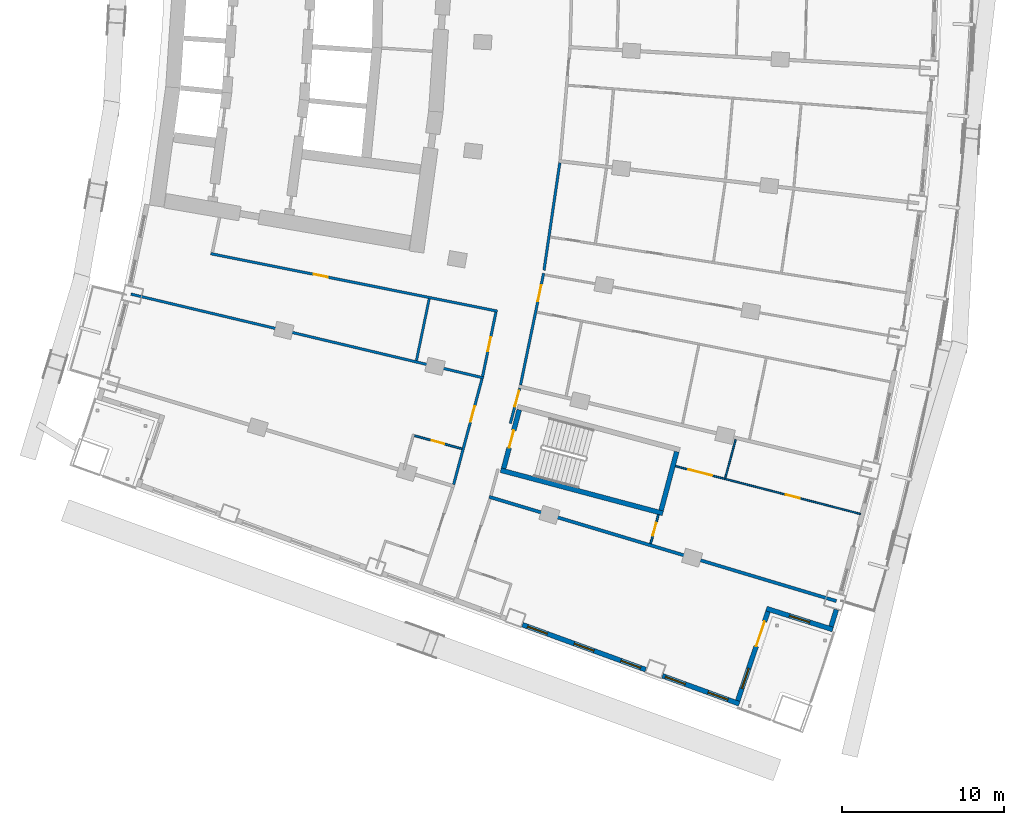
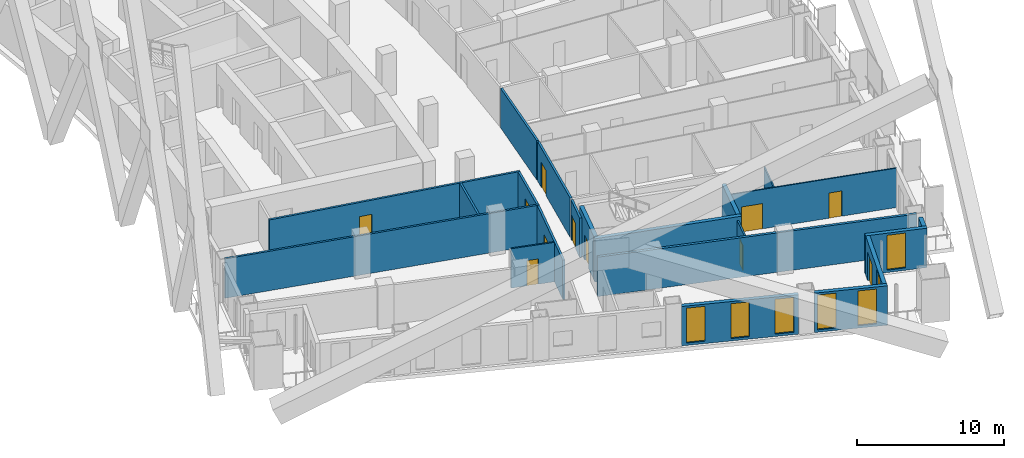
# One storey, part 14 of 25: 21 walls, 11 doors, 7 windows, 18 openings.
"""IFC4 building model written with IfcOpenShell, lengths in metres."""

from ifc_helpers import new_model, si_unit, direction, frame, frame_2d, origin, place, context, subcontext, project, spatial, rectangle, extrude, material, layer, layer_set, type_object, element, fill, save


model = new_model("IFC4")

# Units and contexts
model_context = context("Model", 3, precision=1e-05, world=origin(), true_north=direction((0.0, 1.0)))
body_context = subcontext(model_context, "Body", "Model", "MODEL_VIEW")
ifc_project = project(units=[si_unit("LENGTHUNIT", "METRE"), si_unit("AREAUNIT", "SQUARE_METRE"), si_unit("VOLUMEUNIT", "CUBIC_METRE"), si_unit("PLANEANGLEUNIT", "RADIAN"), si_unit("MASSUNIT", "GRAM", prefix="KILO")], contexts=[model_context])

# Site, building, storey
site_placement = place(None, origin())
site = spatial("IfcSite", under=ifc_project, at=site_placement, CompositionType="ELEMENT")
building_placement = place(site_placement, origin())
building = spatial("IfcBuilding", under=site, at=building_placement, Name="Alderwake Tower", CompositionType="ELEMENT")
storey_placement = place(building_placement, frame((0.0, 0.0, 32.0)))
storey = spatial("IfcBuildingStorey", under=building, at=storey_placement, Name="L06", CompositionType="ELEMENT", Elevation=32.0)

# Wall
ifc_material_1 = material(Name="Concrete C70/85", Category="concrete")
ifc_layer_1 = layer(ifc_material_1, 0.300048828125)
ifc_layer_set_1 = layer_set([ifc_layer_1], Name="Core wall stair enclosure 300 C70-85")
wall_type_1 = type_object("IfcWallType", Name="Core wall stair enclosure 300 C70-85", PredefinedType="SHEAR", material=ifc_layer_set_1)
wall_1_placement = place(storey_placement, frame((36.71142578125, 27.817626953125, 0.0), z_axis=(0.0, 0.0, 1.0), x_axis=(0.966309214305, -0.257383958996, 0.0)))
element("IfcWall", 1, at=wall_1_placement, inside=storey, type_object=wall_type_1, Name="Core wall CW.088", PredefinedType="SHEAR", context=body_context, shape_type="SweptSolid", body=[
    extrude(rectangle(XDim=10.360107421875, YDim=0.300048828125, at=frame_2d((5.18017578125, 0.0))), origin(), (0.0, 0.0, 1.0), 3.60009765625),
])

# Wall, opening, door
wall_2_placement = place(storey_placement, frame((36.89501953125, 27.923828125, 0.0), z_axis=(0.0, 0.0, 1.0), x_axis=(0.257350630826, 0.966318090907, 0.0)))
wall_2 = element("IfcWall", 2, at=wall_2_placement, inside=storey, type_object=wall_type_1, Name="Core wall CW.087", PredefinedType="SHEAR", context=body_context, shape_type="SweptSolid", body=[
    extrude(rectangle(XDim=3.75, YDim=0.300048828125, at=frame_2d((1.875, 0.0))), origin(), (0.0, 0.0, 1.0), 3.60009765625),
])
opening_1_placement = place(wall_2_placement, frame((1.324951171875, 0.0, 0.0)))
opening_1 = element("IfcOpeningElement", 3, at=opening_1_placement, cuts=wall_2, Name="Opening C065", PredefinedType="OPENING", context=body_context, shape_type="SweptSolid", body=[
    extrude(rectangle(XDim=1.10009765625, YDim=2.10009765625, at=frame_2d((0.550048828125, 1.050048828125))), frame((0.0, 0.159912109375, 0.0), z_axis=(0.0, -1.0, 0.0), x_axis=(1.0, 0.0, 0.0)), (0.0, 0.0, 1.0), 0.320068359375),
])
ifc_material_2 = material(Name="Steel-framed fire door leaf", Category="steel")
door_type_1 = type_object("IfcDoorType", Name="Core stair door 1100 fire-rated", OperationType="SINGLE_SWING_LEFT", PredefinedType="DOOR", material=ifc_material_2)
door_1_placement = place(opening_1_placement, origin())
door_1 = element("IfcDoor", 4, at=door_1_placement, inside=storey, type_object=door_type_1, Name="Stair door", OperationType="SINGLE_SWING_LEFT", OverallHeight=2.10009765625, OverallWidth=1.10009765625, PredefinedType="DOOR", context=body_context, shape_type="SweptSolid", body=[
    extrude(rectangle(XDim=1.10009765625, YDim=2.10009765625, at=frame_2d((0.550048828125, 1.050048828125))), frame((0.0, 0.02490234375, 0.0), z_axis=(0.0, -1.0, 0.0), x_axis=(1.0, 0.0, 0.0)), (0.0, 0.0, 1.0), 0.050048828125),
])
fill(opening_1, door_1)

# Walls
wall_3_placement = place(storey_placement, frame((46.6162109375, 25.334716796875, 0.0), z_axis=(0.0, 0.0, 1.0), x_axis=(0.257366821694, 0.966313778796, 0.0)))
element("IfcWall", 5, at=wall_3_placement, inside=storey, type_object=wall_type_1, Name="Core wall CW.085", PredefinedType="SHEAR", context=body_context, shape_type="SweptSolid", body=[
    extrude(rectangle(XDim=3.749755859375, YDim=0.300048828125, at=frame_2d((1.875, 0.0))), origin(), (0.0, 0.0, 1.0), 3.60009765625),
])
ifc_material_3 = material(Name="Gypsum board on metal studs, rated")
ifc_layer_2 = layer(ifc_material_3, 0.159912109375)
ifc_layer_set_2 = layer_set([ifc_layer_2], Name="Corridor wall 160")
wall_type_2 = type_object("IfcWallType", Name="Corridor wall 160", PredefinedType="PARTITIONING", material=ifc_layer_set_2)
wall_4_placement = place(storey_placement, frame((13.884033203125, 38.68798828125, 0.0), z_axis=(0.0, 0.0, 1.0), x_axis=(0.972893462073, -0.231253781493, 0.0)))
element("IfcWall", 6, at=wall_4_placement, inside=storey, type_object=wall_type_2, Name="WL/L06/W16", PredefinedType="PARTITIONING", context=body_context, shape_type="SweptSolid", body=[
    extrude(rectangle(XDim=22.38037109375, YDim=0.159912109375, at=frame_2d((11.190185546875, 0.0))), origin(), (0.0, 0.0, 1.0), 3.280029296875),
])

# Wall, opening, door
wall_5_placement = place(storey_placement, frame((36.513427734375, 37.63427734375, 0.0), z_axis=(0.0, 0.0, 1.0), x_axis=(-0.980470254867, 0.1966674333, 0.0)))
wall_5 = element("IfcWall", 7, at=wall_5_placement, inside=storey, type_object=wall_type_2, Name="WL/L06/W17", PredefinedType="PARTITIONING", context=body_context, shape_type="SweptSolid", body=[
    extrude(rectangle(XDim=18.053466796875, YDim=0.159912109375, at=frame_2d((9.02685546875, 0.0))), origin(), (0.0, 0.0, 1.0), 3.280029296875),
])
opening_2_placement = place(wall_5_placement, frame((10.6767578125, 0.0, 0.0)))
opening_2 = element("IfcOpeningElement", 8, at=opening_2_placement, cuts=wall_5, Name="Opening R01-SBS1", PredefinedType="OPENING", context=body_context, shape_type="SweptSolid", body=[
    extrude(rectangle(XDim=0.89990234375, YDim=2.10009765625, at=frame_2d((0.449951171875, 1.050048828125))), frame((0.0, 0.08984375, 0.0), z_axis=(0.0, -1.0, 0.0), x_axis=(1.0, 0.0, 0.0)), (0.0, 0.0, 1.0), 0.179931640625),
])
ifc_material_4 = material(Name="Painted timber leaf", Category="wood")
door_type_2 = type_object("IfcDoorType", Name="Room door 900", OperationType="SINGLE_SWING_LEFT", PredefinedType="DOOR", material=ifc_material_4)
door_2_placement = place(opening_2_placement, origin())
door_2 = element("IfcDoor", 9, at=door_2_placement, inside=storey, type_object=door_type_2, Name="DR/L06/SBS1", OperationType="SINGLE_SWING_LEFT", OverallHeight=2.10009765625, OverallWidth=0.89990234375, PredefinedType="DOOR", context=body_context, shape_type="SweptSolid", body=[
    extrude(rectangle(XDim=0.89990234375, YDim=2.10009765625, at=frame_2d((0.449951171875, 1.050048828125))), frame((0.0, 0.02490234375, 0.0), z_axis=(0.0, -1.0, 0.0), x_axis=(1.0, 0.0, 0.0)), (0.0, 0.0, 1.0), 0.050048828125),
])
fill(opening_2, door_2)

wall_6_placement = place(storey_placement, frame((33.808837890625, 26.9345703125, 0.0), z_axis=(0.0, 0.0, 1.0), x_axis=(0.259298911818, 0.965797118618, 0.0)))
wall_6 = element("IfcWall", 10, at=wall_6_placement, inside=storey, type_object=wall_type_2, Name="WL/L06/W24", PredefinedType="PARTITIONING", context=body_context, shape_type="SweptSolid", body=[
    extrude(rectangle(XDim=6.75, YDim=0.159912109375, at=frame_2d((3.375, 0.0))), origin(), (0.0, 0.0, 1.0), 3.280029296875),
])
opening_3_placement = place(wall_6_placement, frame((4.00341796875, 0.0, 0.0)))
opening_3 = element("IfcOpeningElement", 11, at=opening_3_placement, cuts=wall_6, Name="Opening R01-U11.1", PredefinedType="OPENING", context=body_context, shape_type="SweptSolid", body=[
    extrude(rectangle(XDim=1.0, YDim=2.10009765625, at=frame_2d((0.5, 1.050048828125))), frame((0.0, 0.08984375, 0.0), z_axis=(0.0, -1.0, 0.0), x_axis=(1.0, 0.0, 0.0)), (0.0, 0.0, 1.0), 0.179931640625),
])
ifc_material_5 = material(Name="Solid timber leaf in steel frame", Category="steel")
door_type_3 = type_object("IfcDoorType", Name="Flat entrance door 1000 fire-rated", OperationType="SINGLE_SWING_LEFT", PredefinedType="DOOR", material=ifc_material_5)
door_3_placement = place(opening_3_placement, origin())
door_3 = element("IfcDoor", 12, at=door_3_placement, inside=storey, type_object=door_type_3, Name="DR/L06/U11.1", OperationType="SINGLE_SWING_LEFT", OverallHeight=2.10009765625, OverallWidth=1.0, PredefinedType="DOOR", context=body_context, shape_type="SweptSolid", body=[
    extrude(rectangle(XDim=1.0, YDim=2.10009765625, at=frame_2d((0.5, 1.050048828125))), frame((0.0, 0.02490234375, 0.0), z_axis=(0.0, -1.0, 0.0), x_axis=(1.0, 0.0, 0.0)), (0.0, 0.0, 1.0), 0.050048828125),
])
fill(opening_3, door_3)

wall_7_placement = place(storey_placement, frame((35.59619140625, 33.609375, 0.0), z_axis=(0.0, 0.0, 1.0), x_axis=(0.203245920818, 0.979127721838, 0.0)))
wall_7 = element("IfcWall", 13, at=wall_7_placement, inside=storey, type_object=wall_type_2, Name="WL/L06/W29", PredefinedType="PARTITIONING", context=body_context, shape_type="SweptSolid", body=[
    extrude(rectangle(XDim=4.046875, YDim=0.159912109375, at=frame_2d((2.0234375, 0.0))), origin(), (0.0, 0.0, 1.0), 3.280029296875),
])
opening_4_placement = place(wall_7_placement, frame((1.573486328125, 0.0, 0.0)))
opening_4 = element("IfcOpeningElement", 14, at=opening_4_placement, cuts=wall_7, Name="Opening R01-SBS2", PredefinedType="OPENING", context=body_context, shape_type="SweptSolid", body=[
    extrude(rectangle(XDim=0.89990234375, YDim=2.10009765625, at=frame_2d((0.449951171875, 1.050048828125))), frame((0.0, 0.08984375, 0.0), z_axis=(0.0, -1.0, 0.0), x_axis=(1.0, 0.0, 0.0)), (0.0, 0.0, 1.0), 0.179931640625),
])
door_4_placement = place(opening_4_placement, origin())
door_4 = element("IfcDoor", 15, at=door_4_placement, inside=storey, type_object=door_type_2, Name="DR/L06/SBS2", OperationType="SINGLE_SWING_LEFT", OverallHeight=2.10009765625, OverallWidth=0.89990234375, PredefinedType="DOOR", context=body_context, shape_type="SweptSolid", body=[
    extrude(rectangle(XDim=0.89990234375, YDim=2.10009765625, at=frame_2d((0.449951171875, 1.050048828125))), frame((0.0, 0.02490234375, 0.0), z_axis=(0.0, -1.0, 0.0), x_axis=(1.0, 0.0, 0.0)), (0.0, 0.0, 1.0), 0.050048828125),
])
fill(opening_4, door_4)

wall_8_placement = place(storey_placement, frame((37.89111328125, 32.87939453125, 0.0), z_axis=(0.0, 0.0, 1.0), x_axis=(-0.259620578816, -0.965710699462, 0.0)))
wall_8 = element("IfcWall", 16, at=wall_8_placement, inside=storey, type_object=wall_type_2, Name="WL/L06/W32", PredefinedType="PARTITIONING", context=body_context, shape_type="SweptSolid", body=[
    extrude(rectangle(XDim=2.2578125, YDim=0.159912109375, at=frame_2d((1.12890625, 0.0))), origin(), (0.0, 0.0, 1.0), 3.280029296875),
])
opening_5_placement = place(wall_8_placement, frame((0.1708984375, 0.0, 0.0)))
opening_5 = element("IfcOpeningElement", 17, at=opening_5_placement, cuts=wall_8, Name="Opening R01-U01.1", PredefinedType="OPENING", context=body_context, shape_type="SweptSolid", body=[
    extrude(rectangle(XDim=1.0, YDim=2.10009765625, at=frame_2d((0.5, 1.050048828125))), frame((0.0, 0.08984375, 0.0), z_axis=(0.0, -1.0, 0.0), x_axis=(1.0, 0.0, 0.0)), (0.0, 0.0, 1.0), 0.179931640625),
])
door_5_placement = place(opening_5_placement, origin())
door_5 = element("IfcDoor", 18, at=door_5_placement, inside=storey, type_object=door_type_3, Name="DR/L06/U01.1", OperationType="SINGLE_SWING_LEFT", OverallHeight=2.10009765625, OverallWidth=1.0, PredefinedType="DOOR", context=body_context, shape_type="SweptSolid", body=[
    extrude(rectangle(XDim=1.0, YDim=2.10009765625, at=frame_2d((0.5, 1.050048828125))), frame((0.0, 0.02490234375, 0.0), z_axis=(0.0, -1.0, 0.0), x_axis=(1.0, 0.0, 0.0)), (0.0, 0.0, 1.0), 0.050048828125),
])
fill(opening_5, door_5)

wall_9_placement = place(storey_placement, frame((39.3642578125, 39.975341796875, 0.0), z_axis=(0.0, 0.0, 1.0), x_axis=(-0.202487611378, -0.979284824368, 0.0)))
wall_9 = element("IfcWall", 19, at=wall_9_placement, inside=storey, type_object=wall_type_2, Name="WL/L06/W33", PredefinedType="PARTITIONING", context=body_context, shape_type="SweptSolid", body=[
    extrude(rectangle(XDim=7.04736328125, YDim=0.159912109375, at=frame_2d((3.523681640625, 0.0))), origin(), (0.0, 0.0, 1.0), 3.280029296875),
])
opening_6_placement = place(wall_9_placement, frame((0.7568359375, 0.0, 0.0)))
opening_6 = element("IfcOpeningElement", 20, at=opening_6_placement, cuts=wall_9, Name="Opening R01-U05.3", PredefinedType="OPENING", context=body_context, shape_type="SweptSolid", body=[
    extrude(rectangle(XDim=1.0, YDim=2.10009765625, at=frame_2d((0.5, 1.050048828125))), frame((0.0, 0.08984375, 0.0), z_axis=(0.0, -1.0, 0.0), x_axis=(1.0, 0.0, 0.0)), (0.0, 0.0, 1.0), 0.179931640625),
])
door_6_placement = place(opening_6_placement, origin())
door_6 = element("IfcDoor", 21, at=door_6_placement, inside=storey, type_object=door_type_3, Name="DR/L06/U05.3", OperationType="SINGLE_SWING_LEFT", OverallHeight=2.10009765625, OverallWidth=1.0, PredefinedType="DOOR", context=body_context, shape_type="SweptSolid", body=[
    extrude(rectangle(XDim=1.0, YDim=2.10009765625, at=frame_2d((0.5, 1.050048828125))), frame((0.0, 0.02490234375, 0.0), z_axis=(0.0, -1.0, 0.0), x_axis=(1.0, 0.0, 0.0)), (0.0, 0.0, 1.0), 0.050048828125),
])
fill(opening_6, door_6)

# Walls
wall_10_placement = place(storey_placement, frame((39.38671875, 40.160888671875, 0.0), z_axis=(0.0, 0.0, 1.0), x_axis=(0.145513909196, 0.989356205939, 0.0)))
element("IfcWall", 22, at=wall_10_placement, inside=storey, type_object=wall_type_2, Name="WL/L06/W36", PredefinedType="PARTITIONING", context=body_context, shape_type="SweptSolid", body=[
    extrude(rectangle(XDim=6.704345703125, YDim=0.159912109375, at=frame_2d((3.35205078125, 0.0))), origin(), (0.0, 0.0, 1.0), 3.280029296875),
])
ifc_material_6 = material(Name="Precast concrete C50/60 spandrel panel", Category="concrete")
ifc_layer_3 = layer(ifc_material_6, 0.300048828125)
ifc_layer_set_3 = layer_set([ifc_layer_3], Name="External wall EW1 Precast concrete C50/60 spandrel")
wall_type_3 = type_object("IfcWallType", Name="External wall EW1 Precast concrete C50/60 spandrel", PredefinedType="SOLIDWALL", material=ifc_layer_set_3)
wall_11_placement = place(storey_placement, frame((57.11328125, 18.16943359375, 0.0), z_axis=(0.0, 0.0, 1.0), x_axis=(0.294684640149, 0.955594559874, 0.0)))
element("IfcWall", 23, at=wall_11_placement, inside=storey, type_object=wall_type_3, Name="External wall 11", PredefinedType="SOLIDWALL", context=body_context, shape_type="SweptSolid", body=[
    extrude(rectangle(XDim=1.088623046875, YDim=0.300048828125, at=frame_2d((0.54443359375, 0.0))), origin(), (0.0, 0.0, 1.0), 3.280029296875),
])

# Wall, openings, windows
ifc_material_7 = material(Name="Bronze metal cladding on lightweight framing")
ifc_layer_4 = layer(ifc_material_7, 0.300048828125)
ifc_layer_set_4 = layer_set([ifc_layer_4], Name="External wall EW2 bronze metal cladding")
wall_type_4 = type_object("IfcWallType", Name="External wall EW2 bronze metal cladding", PredefinedType="SOLIDWALL", material=ifc_layer_set_4)
wall_12_placement = place(storey_placement, frame((38.058837890625, 18.277587890625, 0.0), z_axis=(0.0, 0.0, 1.0), x_axis=(0.939382451577, -0.342871126912, 0.0)))
wall_12 = element("IfcWall", 24, at=wall_12_placement, inside=storey, type_object=wall_type_4, Name="External wall 7", PredefinedType="SOLIDWALL", context=body_context, shape_type="SweptSolid", body=[
    extrude(rectangle(XDim=8.095947265625, YDim=0.300048828125, at=frame_2d((4.0478515625, 0.0))), origin(), (0.0, 0.0, 1.0), 3.280029296875),
])
opening_7_placement = place(wall_12_placement, frame((0.331298828125, 0.0, 0.199951171875)))
opening_7 = element("IfcOpeningElement", 25, at=opening_7_placement, cuts=wall_12, Name="Opening W1", PredefinedType="OPENING", context=body_context, shape_type="SweptSolid", body=[
    extrude(rectangle(XDim=1.300048828125, YDim=2.89990234375, at=frame_2d((0.64990234375, 1.449951171875))), frame((0.0, 0.159912109375, 0.0), z_axis=(0.0, -1.0, 0.0), x_axis=(1.0, 0.0, 0.0)), (0.0, 0.0, 1.0), 0.320068359375),
])
opening_8_placement = place(wall_12_placement, frame((3.39794921875, 0.0, 0.199951171875)))
opening_8 = element("IfcOpeningElement", 26, at=opening_8_placement, cuts=wall_12, Name="Opening W1", PredefinedType="OPENING", context=body_context, shape_type="SweptSolid", body=[
    extrude(rectangle(XDim=1.300048828125, YDim=2.89990234375, at=frame_2d((0.64990234375, 1.449951171875))), frame((0.0, 0.159912109375, 0.0), z_axis=(0.0, -1.0, 0.0), x_axis=(1.0, 0.0, 0.0)), (0.0, 0.0, 1.0), 0.320068359375),
])
opening_9_placement = place(wall_12_placement, frame((6.464599609375, 0.0, 0.199951171875)))
opening_9 = element("IfcOpeningElement", 27, at=opening_9_placement, cuts=wall_12, Name="Opening W1", PredefinedType="OPENING", context=body_context, shape_type="SweptSolid", body=[
    extrude(rectangle(XDim=1.300048828125, YDim=2.89990234375, at=frame_2d((0.64990234375, 1.449951171875))), frame((0.0, 0.159912109375, 0.0), z_axis=(0.0, -1.0, 0.0), x_axis=(1.0, 0.0, 0.0)), (0.0, 0.0, 1.0), 0.320068359375),
])
ifc_material_8 = material(Name="Bronze tinted glass in aluminium frame", Category="aluminium")
window_type = type_object("IfcWindowType", Name="Window W1 tall fixed and vent", PartitioningType="DOUBLE_PANEL_VERTICAL", PredefinedType="WINDOW", material=ifc_material_8)
window_1_placement = place(opening_7_placement, origin())
window_1 = element("IfcWindow", 28, at=window_1_placement, inside=storey, type_object=window_type, Name="Window W1 tall fixed and vent", OverallHeight=2.89990234375, OverallWidth=1.300048828125, PartitioningType="DOUBLE_PANEL_VERTICAL", PredefinedType="WINDOW", context=body_context, shape_type="SweptSolid", body=[
    extrude(rectangle(XDim=1.300048828125, YDim=2.89990234375, at=frame_2d((0.64990234375, 1.449951171875))), frame((0.0, 0.030029296875, 0.0), z_axis=(0.0, -1.0, 0.0), x_axis=(1.0, 0.0, 0.0)), (0.0, 0.0, 1.0), 0.06005859375),
])
fill(opening_7, window_1)
window_2_placement = place(opening_8_placement, origin())
window_2 = element("IfcWindow", 29, at=window_2_placement, inside=storey, type_object=window_type, Name="Window W1 tall fixed and vent", OverallHeight=2.89990234375, OverallWidth=1.300048828125, PartitioningType="DOUBLE_PANEL_VERTICAL", PredefinedType="WINDOW", context=body_context, shape_type="SweptSolid", body=[
    extrude(rectangle(XDim=1.300048828125, YDim=2.89990234375, at=frame_2d((0.64990234375, 1.449951171875))), frame((0.0, 0.030029296875, 0.0), z_axis=(0.0, -1.0, 0.0), x_axis=(1.0, 0.0, 0.0)), (0.0, 0.0, 1.0), 0.06005859375),
])
fill(opening_8, window_2)
window_3_placement = place(opening_9_placement, origin())
window_3 = element("IfcWindow", 30, at=window_3_placement, inside=storey, type_object=window_type, Name="Window W1 tall fixed and vent", OverallHeight=2.89990234375, OverallWidth=1.300048828125, PartitioningType="DOUBLE_PANEL_VERTICAL", PredefinedType="WINDOW", context=body_context, shape_type="SweptSolid", body=[
    extrude(rectangle(XDim=1.300048828125, YDim=2.89990234375, at=frame_2d((0.64990234375, 1.449951171875))), frame((0.0, 0.030029296875, 0.0), z_axis=(0.0, -1.0, 0.0), x_axis=(1.0, 0.0, 0.0)), (0.0, 0.0, 1.0), 0.06005859375),
])
fill(opening_9, window_3)

wall_13_placement = place(storey_placement, frame((46.701171875, 15.123046875, 0.0), z_axis=(0.0, 0.0, 1.0), x_axis=(0.939373152763, -0.342896602299, 0.0)))
wall_13 = element("IfcWall", 31, at=wall_13_placement, inside=storey, type_object=wall_type_4, Name="External wall 8", PredefinedType="SOLIDWALL", context=body_context, shape_type="SweptSolid", body=[
    extrude(rectangle(XDim=5.0458984375, YDim=0.300048828125, at=frame_2d((2.52294921875, 0.0))), origin(), (0.0, 0.0, 1.0), 3.280029296875),
])
opening_10_placement = place(wall_13_placement, frame((0.197509765625, 0.0, 0.199951171875)))
opening_10 = element("IfcOpeningElement", 32, at=opening_10_placement, cuts=wall_13, Name="Opening W1", PredefinedType="OPENING", context=body_context, shape_type="SweptSolid", body=[
    extrude(rectangle(XDim=1.300048828125, YDim=2.89990234375, at=frame_2d((0.64990234375, 1.449951171875))), frame((0.0, 0.159912109375, 0.0), z_axis=(0.0, -1.0, 0.0), x_axis=(1.0, 0.0, 0.0)), (0.0, 0.0, 1.0), 0.320068359375),
])
opening_11_placement = place(wall_13_placement, frame((2.99658203125, 0.0, 0.199951171875)))
opening_11 = element("IfcOpeningElement", 33, at=opening_11_placement, cuts=wall_13, Name="Opening W1", PredefinedType="OPENING", context=body_context, shape_type="SweptSolid", body=[
    extrude(rectangle(XDim=1.300048828125, YDim=2.89990234375, at=frame_2d((0.64990234375, 1.449951171875))), frame((0.0, 0.159912109375, 0.0), z_axis=(0.0, -1.0, 0.0), x_axis=(1.0, 0.0, 0.0)), (0.0, 0.0, 1.0), 0.320068359375),
])
window_4_placement = place(opening_10_placement, origin())
window_4 = element("IfcWindow", 34, at=window_4_placement, inside=storey, type_object=window_type, Name="Window W1 tall fixed and vent", OverallHeight=2.89990234375, OverallWidth=1.300048828125, PartitioningType="DOUBLE_PANEL_VERTICAL", PredefinedType="WINDOW", context=body_context, shape_type="SweptSolid", body=[
    extrude(rectangle(XDim=1.300048828125, YDim=2.89990234375, at=frame_2d((0.64990234375, 1.449951171875))), frame((0.0, 0.030029296875, 0.0), z_axis=(0.0, -1.0, 0.0), x_axis=(1.0, 0.0, 0.0)), (0.0, 0.0, 1.0), 0.06005859375),
])
fill(opening_10, window_4)
window_5_placement = place(opening_11_placement, origin())
window_5 = element("IfcWindow", 35, at=window_5_placement, inside=storey, type_object=window_type, Name="Window W1 tall fixed and vent", OverallHeight=2.89990234375, OverallWidth=1.300048828125, PartitioningType="DOUBLE_PANEL_VERTICAL", PredefinedType="WINDOW", context=body_context, shape_type="SweptSolid", body=[
    extrude(rectangle(XDim=1.300048828125, YDim=2.89990234375, at=frame_2d((0.64990234375, 1.449951171875))), frame((0.0, 0.030029296875, 0.0), z_axis=(0.0, -1.0, 0.0), x_axis=(1.0, 0.0, 0.0)), (0.0, 0.0, 1.0), 0.06005859375),
])
fill(opening_11, window_5)

# Wall, openings, door, window
wall_14_placement = place(storey_placement, frame((51.348388671875, 13.586181640625, 0.0), z_axis=(0.0, 0.0, 1.0), x_axis=(0.320901281383, 0.947112647791, 0.0)))
wall_14 = element("IfcWall", 36, at=wall_14_placement, inside=storey, type_object=wall_type_4, Name="External wall 9", PredefinedType="SOLIDWALL", context=body_context, shape_type="SweptSolid", body=[
    extrude(rectangle(XDim=5.809326171875, YDim=0.300048828125, at=frame_2d((2.90478515625, 0.0))), origin(), (0.0, 0.0, 1.0), 3.280029296875),
])
opening_12_placement = place(wall_14_placement, frame((0.80224609375, 0.0, 0.199951171875)))
opening_12 = element("IfcOpeningElement", 37, at=opening_12_placement, cuts=wall_14, Name="Opening W1", PredefinedType="OPENING", context=body_context, shape_type="SweptSolid", body=[
    extrude(rectangle(XDim=1.300048828125, YDim=2.89990234375, at=frame_2d((0.64990234375, 1.449951171875))), frame((0.0, 0.159912109375, 0.0), z_axis=(0.0, -1.0, 0.0), x_axis=(1.0, 0.0, 0.0)), (0.0, 0.0, 1.0), 0.320068359375),
])
opening_13_placement = place(wall_14_placement, frame((3.556884765625, 0.0, 0.0)))
opening_13 = element("IfcOpeningElement", 38, at=opening_13_placement, cuts=wall_14, Name="Opening D02", PredefinedType="OPENING", context=body_context, shape_type="SweptSolid", body=[
    extrude(rectangle(XDim=1.60009765625, YDim=2.39990234375, at=frame_2d((0.800048828125, 1.199951171875))), frame((0.0, 0.159912109375, 0.0), z_axis=(0.0, -1.0, 0.0), x_axis=(1.0, 0.0, 0.0)), (0.0, 0.0, 1.0), 0.320068359375),
])
ifc_material_9 = material(Name="Bronze tinted glass in aluminium frame", Category="aluminium")
door_type_4 = type_object("IfcDoorType", Name="Terrace door TD sliding", OperationType="SLIDING_TO_LEFT", PredefinedType="DOOR", material=ifc_material_9)
door_7_placement = place(opening_13_placement, origin())
door_7 = element("IfcDoor", 39, at=door_7_placement, inside=storey, type_object=door_type_4, Name="Door D02", OperationType="SLIDING_TO_LEFT", OverallHeight=2.39990234375, OverallWidth=1.60009765625, PredefinedType="DOOR", context=body_context, shape_type="SweptSolid", body=[
    extrude(rectangle(XDim=1.60009765625, YDim=2.39990234375, at=frame_2d((0.800048828125, 1.199951171875))), frame((0.0, 0.02490234375, 0.0), z_axis=(0.0, -1.0, 0.0), x_axis=(1.0, 0.0, 0.0)), (0.0, 0.0, 1.0), 0.050048828125),
])
fill(opening_13, door_7)
window_6_placement = place(opening_12_placement, origin())
window_6 = element("IfcWindow", 40, at=window_6_placement, inside=storey, type_object=window_type, Name="Window W1 tall fixed and vent", OverallHeight=2.89990234375, OverallWidth=1.300048828125, PartitioningType="DOUBLE_PANEL_VERTICAL", PredefinedType="WINDOW", context=body_context, shape_type="SweptSolid", body=[
    extrude(rectangle(XDim=1.300048828125, YDim=2.89990234375, at=frame_2d((0.64990234375, 1.449951171875))), frame((0.0, 0.030029296875, 0.0), z_axis=(0.0, -1.0, 0.0), x_axis=(1.0, 0.0, 0.0)), (0.0, 0.0, 1.0), 0.06005859375),
])
fill(opening_12, window_6)

# Wall, opening, window
wall_15_placement = place(storey_placement, frame((53.11767578125, 19.275634765625, 0.0), z_axis=(0.0, 0.0, 1.0), x_axis=(0.953470039543, -0.301487783656, 0.0)))
wall_15 = element("IfcWall", 41, at=wall_15_placement, inside=storey, type_object=wall_type_4, Name="External wall 10", PredefinedType="SOLIDWALL", context=body_context, shape_type="SweptSolid", body=[
    extrude(rectangle(XDim=4.294189453125, YDim=0.300048828125, at=frame_2d((2.14697265625, 0.0))), origin(), (0.0, 0.0, 1.0), 3.280029296875),
])
opening_14_placement = place(wall_15_placement, frame((1.4970703125, 0.0, 0.199951171875)))
opening_14 = element("IfcOpeningElement", 42, at=opening_14_placement, cuts=wall_15, Name="Opening W1", PredefinedType="OPENING", context=body_context, shape_type="SweptSolid", body=[
    extrude(rectangle(XDim=1.300048828125, YDim=2.89990234375, at=frame_2d((0.64990234375, 1.449951171875))), frame((0.0, 0.159912109375, 0.0), z_axis=(0.0, -1.0, 0.0), x_axis=(1.0, 0.0, 0.0)), (0.0, 0.0, 1.0), 0.320068359375),
])
window_7_placement = place(opening_14_placement, origin())
window_7 = element("IfcWindow", 43, at=window_7_placement, inside=storey, type_object=window_type, Name="Window W1 tall fixed and vent", OverallHeight=2.89990234375, OverallWidth=1.300048828125, PartitioningType="DOUBLE_PANEL_VERTICAL", PredefinedType="WINDOW", context=body_context, shape_type="SweptSolid", body=[
    extrude(rectangle(XDim=1.300048828125, YDim=2.89990234375, at=frame_2d((0.64990234375, 1.449951171875))), frame((0.0, 0.030029296875, 0.0), z_axis=(0.0, -1.0, 0.0), x_axis=(1.0, 0.0, 0.0)), (0.0, 0.0, 1.0), 0.06005859375),
])
fill(opening_14, window_7)

# Walls
ifc_material_10 = material(Name="Dense block masonry wall", Category="masonry")
ifc_layer_5 = layer(ifc_material_10, 0.199951171875)
ifc_layer_set_5 = layer_set([ifc_layer_5], Name="Party wall 200")
wall_type_5 = type_object("IfcWallType", Name="Party wall 200", PredefinedType="SOLIDWALL", material=ifc_layer_set_5)
wall_16_placement = place(storey_placement, frame((36.00439453125, 26.1708984375, 0.0), z_axis=(0.0, 0.0, 1.0), x_axis=(0.957780031915, -0.287502018191, 0.0)))
element("IfcWall", 44, at=wall_16_placement, inside=storey, type_object=wall_type_5, Name="WL/L06/W05", PredefinedType="SOLIDWALL", context=body_context, shape_type="SweptSolid", body=[
    extrude(rectangle(XDim=22.37841796875, YDim=0.199951171875, at=frame_2d((11.189208984375, 0.0))), origin(), (0.0, 0.0, 1.0), 3.280029296875),
])
ifc_material_11 = material(Name="Gypsum shaft wall system, rated")
ifc_layer_6 = layer(ifc_material_11, 0.14990234375)
ifc_layer_set_6 = layer_set([ifc_layer_6], Name="Riser and shaft wall 150")
wall_type_6 = type_object("IfcWallType", Name="Riser and shaft wall 150", PredefinedType="PARTITIONING", material=ifc_layer_set_6)
wall_17_placement = place(storey_placement, frame((31.51025390625, 34.581298828125, 0.0), z_axis=(0.0, 0.0, 1.0), x_axis=(0.202642899892, 0.979252702383, 0.0)))
element("IfcWall", 45, at=wall_17_placement, inside=storey, type_object=wall_type_6, Name="WL/L06/W12", PredefinedType="PARTITIONING", context=body_context, shape_type="SweptSolid", body=[
    extrude(rectangle(XDim=3.896240234375, YDim=0.14990234375, at=frame_2d((1.9482421875, 0.0))), origin(), (0.0, 0.0, 1.0), 3.280029296875),
])

# Wall, openings, doors
ifc_material_12 = material(Name="Gypsum board on metal studs")
ifc_layer_7 = layer(ifc_material_12, 0.10009765625)
ifc_layer_set_7 = layer_set([ifc_layer_7], Name="Unit partition 100")
wall_type_7 = type_object("IfcWallType", Name="Unit partition 100", PredefinedType="PARTITIONING", material=ifc_layer_set_7)
wall_18_placement = place(storey_placement, frame((58.93798828125, 25.113037109375, 0.0), z_axis=(0.0, 0.0, 1.0), x_axis=(-0.968214069453, 0.250123001167, 0.0)))
wall_18 = element("IfcWall", 46, at=wall_18_placement, inside=storey, type_object=wall_type_7, Name="WL/L06/W74", PredefinedType="PARTITIONING", context=body_context, shape_type="SweptSolid", body=[
    extrude(rectangle(XDim=11.814453125, YDim=0.10009765625, at=frame_2d((5.9072265625, 0.0))), origin(), (0.0, 0.0, 1.0), 3.280029296875),
])
opening_15_placement = place(wall_18_placement, frame((9.482421875, 0.0, 0.0)))
opening_15 = element("IfcOpeningElement", 47, at=opening_15_placement, cuts=wall_18, Name="Opening R01-U01.2", PredefinedType="OPENING", context=body_context, shape_type="SweptSolid", body=[
    extrude(rectangle(XDim=1.5, YDim=2.10009765625, at=frame_2d((0.75, 1.050048828125))), frame((0.0, 0.06005859375, 0.0), z_axis=(0.0, -1.0, 0.0), x_axis=(1.0, 0.0, 0.0)), (0.0, 0.0, 1.0), 0.1201171875),
])
opening_16_placement = place(wall_18_placement, frame((3.876220703125, 0.0, 0.0)))
opening_16 = element("IfcOpeningElement", 48, at=opening_16_placement, cuts=wall_18, Name="Opening R01-U01.3", PredefinedType="OPENING", context=body_context, shape_type="SweptSolid", body=[
    extrude(rectangle(XDim=0.89990234375, YDim=2.10009765625, at=frame_2d((0.449951171875, 1.050048828125))), frame((0.0, 0.06005859375, 0.0), z_axis=(0.0, -1.0, 0.0), x_axis=(1.0, 0.0, 0.0)), (0.0, 0.0, 1.0), 0.1201171875),
])
ifc_material_13 = material(Name="Painted timber leaves", Category="wood")
door_type_5 = type_object("IfcDoorType", Name="Double leaf door 1500", OperationType="DOUBLE_DOOR_SINGLE_SWING", PredefinedType="DOOR", material=ifc_material_13)
door_8_placement = place(opening_15_placement, origin())
door_8 = element("IfcDoor", 49, at=door_8_placement, inside=storey, type_object=door_type_5, Name="DR/L06/U01.2", OperationType="DOUBLE_DOOR_SINGLE_SWING", OverallHeight=2.10009765625, OverallWidth=1.5, PredefinedType="DOOR", context=body_context, shape_type="SweptSolid", body=[
    extrude(rectangle(XDim=1.5, YDim=2.10009765625, at=frame_2d((0.75, 1.050048828125))), frame((0.0, 0.02490234375, 0.0), z_axis=(0.0, -1.0, 0.0), x_axis=(1.0, 0.0, 0.0)), (0.0, 0.0, 1.0), 0.050048828125),
])
fill(opening_15, door_8)
door_9_placement = place(opening_16_placement, origin())
door_9 = element("IfcDoor", 50, at=door_9_placement, inside=storey, type_object=door_type_2, Name="DR/L06/U01.3", OperationType="SINGLE_SWING_LEFT", OverallHeight=2.10009765625, OverallWidth=0.89990234375, PredefinedType="DOOR", context=body_context, shape_type="SweptSolid", body=[
    extrude(rectangle(XDim=0.89990234375, YDim=2.10009765625, at=frame_2d((0.449951171875, 1.050048828125))), frame((0.0, 0.02490234375, 0.0), z_axis=(0.0, -1.0, 0.0), x_axis=(1.0, 0.0, 0.0)), (0.0, 0.0, 1.0), 0.050048828125),
])
fill(opening_16, door_9)

# Wall
wall_19_placement = place(storey_placement, frame((50.574951171875, 27.32421875, 0.0), z_axis=(0.0, 0.0, 1.0), x_axis=(0.259739710308, 0.965678664406, 0.0)))
element("IfcWall", 51, at=wall_19_placement, inside=storey, type_object=wall_type_7, Name="WL/L06/W79", PredefinedType="PARTITIONING", context=body_context, shape_type="SweptSolid", body=[
    extrude(rectangle(XDim=2.47216796875, YDim=0.10009765625, at=frame_2d((1.236083984375, 0.0))), origin(), (0.0, 0.0, 1.0), 3.280029296875),
])

# Wall, opening, door
ifc_material_14 = material(Name="Moisture resistant gypsum board on metal studs")
ifc_layer_8 = layer(ifc_material_14, 0.1201171875)
ifc_layer_set_8 = layer_set([ifc_layer_8], Name="Wet room partition 120")
wall_type_8 = type_object("IfcWallType", Name="Wet room partition 120", PredefinedType="PARTITIONING", material=ifc_layer_set_8)
wall_20_placement = place(storey_placement, frame((34.31787109375, 29.136474609375, 0.0), z_axis=(0.0, 0.0, 1.0), x_axis=(-0.963351881246, 0.268240848677, 0.0)))
wall_20 = element("IfcWall", 52, at=wall_20_placement, inside=storey, type_object=wall_type_8, Name="WL/L06/W51", PredefinedType="PARTITIONING", context=body_context, shape_type="SweptSolid", body=[
    extrude(rectangle(XDim=3.05810546875, YDim=0.1201171875, at=frame_2d((1.529052734375, 0.0))), origin(), (0.0, 0.0, 1.0), 3.280029296875),
])
opening_17_placement = place(wall_20_placement, frame((1.129150390625, 0.0, 0.0)))
opening_17 = element("IfcOpeningElement", 53, at=opening_17_placement, cuts=wall_20, Name="Opening R01-U11.2", PredefinedType="OPENING", context=body_context, shape_type="SweptSolid", body=[
    extrude(rectangle(XDim=0.800048828125, YDim=2.10009765625, at=frame_2d((0.39990234375, 1.050048828125))), frame((0.0, 0.070068359375, 0.0), z_axis=(0.0, -1.0, 0.0), x_axis=(1.0, 0.0, 0.0)), (0.0, 0.0, 1.0), 0.14013671875),
])
ifc_material_15 = material(Name="Painted timber leaf", Category="wood")
door_type_6 = type_object("IfcDoorType", Name="Bathroom door 800", OperationType="SINGLE_SWING_LEFT", PredefinedType="DOOR", material=ifc_material_15)
door_10_placement = place(opening_17_placement, origin())
door_10 = element("IfcDoor", 54, at=door_10_placement, inside=storey, type_object=door_type_6, Name="DR/L06/U11.2", OperationType="SINGLE_SWING_LEFT", OverallHeight=2.10009765625, OverallWidth=0.800048828125, PredefinedType="DOOR", context=body_context, shape_type="SweptSolid", body=[
    extrude(rectangle(XDim=0.800048828125, YDim=2.10009765625, at=frame_2d((0.39990234375, 1.050048828125))), frame((0.0, 0.02490234375, 0.0), z_axis=(0.0, -1.0, 0.0), x_axis=(1.0, 0.0, 0.0)), (0.0, 0.0, 1.0), 0.050048828125),
])
fill(opening_17, door_10)

wall_21_placement = place(storey_placement, frame((45.970947265625, 23.28369140625, 0.0), z_axis=(0.0, 0.0, 1.0), x_axis=(0.258764710752, 0.965940383497, 0.0)))
wall_21 = element("IfcWall", 55, at=wall_21_placement, inside=storey, type_object=wall_type_8, Name="WL/L06/W64", PredefinedType="PARTITIONING", context=body_context, shape_type="SweptSolid", body=[
    extrude(rectangle(XDim=1.847412109375, YDim=0.1201171875, at=frame_2d((0.923828125, 0.0))), origin(), (0.0, 0.0, 1.0), 3.280029296875),
])
opening_18_placement = place(wall_21_placement, frame((0.523681640625, 0.0, 0.0)))
opening_18 = element("IfcOpeningElement", 56, at=opening_18_placement, cuts=wall_21, Name="Opening R01-U01.4", PredefinedType="OPENING", context=body_context, shape_type="SweptSolid", body=[
    extrude(rectangle(XDim=0.800048828125, YDim=2.10009765625, at=frame_2d((0.39990234375, 1.050048828125))), frame((0.0, 0.070068359375, 0.0), z_axis=(0.0, -1.0, 0.0), x_axis=(1.0, 0.0, 0.0)), (0.0, 0.0, 1.0), 0.14013671875),
])
door_11_placement = place(opening_18_placement, origin())
door_11 = element("IfcDoor", 57, at=door_11_placement, inside=storey, type_object=door_type_6, Name="DR/L06/U01.4", OperationType="SINGLE_SWING_LEFT", OverallHeight=2.10009765625, OverallWidth=0.800048828125, PredefinedType="DOOR", context=body_context, shape_type="SweptSolid", body=[
    extrude(rectangle(XDim=0.800048828125, YDim=2.10009765625, at=frame_2d((0.39990234375, 1.050048828125))), frame((0.0, 0.02490234375, 0.0), z_axis=(0.0, -1.0, 0.0), x_axis=(1.0, 0.0, 0.0)), (0.0, 0.0, 1.0), 0.050048828125),
])
fill(opening_18, door_11)

save(model, "model.ifc")
